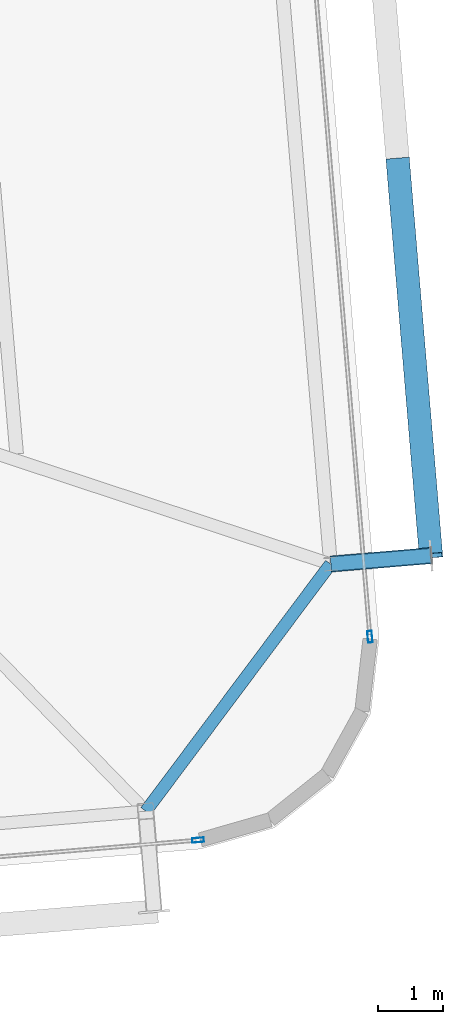
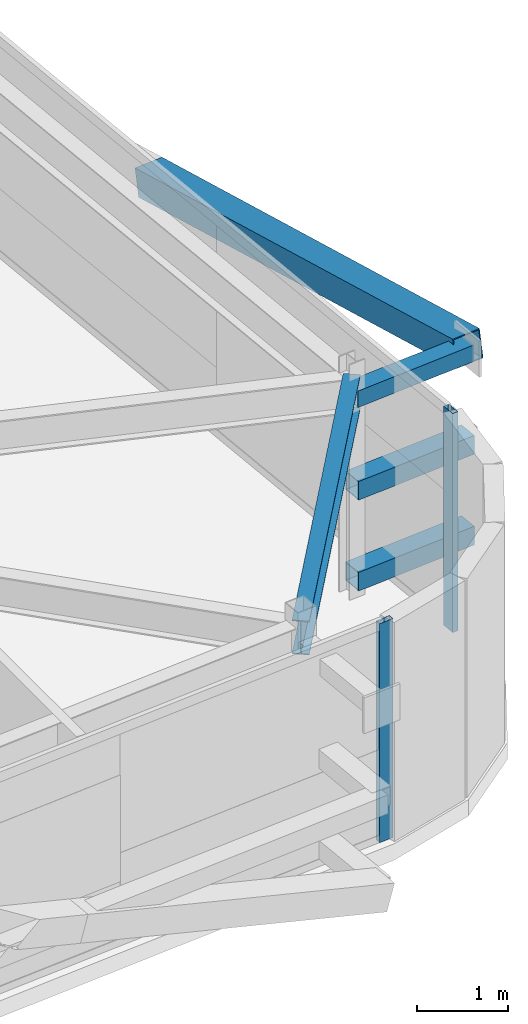
# One storey, part 18 of 37: 6 members, 1 beam, 2 elements without a shape of their own.
"""IFC4 building model written with IfcOpenShell, lengths in metres."""

from ifc_helpers import new_model, si_unit, direction, frame, origin, origin_2d, place, context, subcontext, project, spatial, hollow_rectangle, i_section, extrude, source, transform, mapped, material, layer, layer_set, material_profile, profile_set, type_object, element, aggregate, save


model = new_model("IFC4")

# Units and contexts
model_context = context("Model", 3, precision=1e-05, world=origin(), true_north=direction((0.0, 1.0)))
body_context = subcontext(model_context, "Body", "Model", "MODEL_VIEW")
ifc_project = project(units=[si_unit("LENGTHUNIT", "METRE"), si_unit("AREAUNIT", "SQUARE_METRE"), si_unit("VOLUMEUNIT", "CUBIC_METRE"), si_unit("PLANEANGLEUNIT", "RADIAN"), si_unit("MASSUNIT", "GRAM", prefix="KILO")], contexts=[model_context])

# Site, building, storey
site_placement = place(None, origin())
site = spatial("IfcSite", under=ifc_project, at=site_placement, CompositionType="ELEMENT")
building_placement = place(site_placement, origin())
building = spatial("IfcBuilding", under=site, at=building_placement, Name="Taldren Reach Tower", CompositionType="ELEMENT")
storey_placement = place(building_placement, frame((0.0, 0.0, 182.0)))
storey = spatial("IfcBuildingStorey", under=building, at=storey_placement, Name="L55", CompositionType="ELEMENT", Elevation=182.0)

# Beam
ifc_material_1 = material(Name="Steel Gr 350 (350PLUS)", Category="steel")
ifc_material_profile_1 = material_profile(ifc_material_1, i_section(OverallWidth=0.18994140625, OverallDepth=0.4541015625, WebThickness=0.008544921875, FlangeThickness=0.0126953125, at=origin_2d()), Name="460UB67.1")
ifc_profile_set_1 = profile_set([ifc_material_profile_1], Name="Steel Gr 350 (350PLUS)")
beam_type = type_object("IfcBeamType", Name="SP-UB460B", PredefinedType="SPANDREL", material=ifc_profile_set_1)
shared_shape_1 = source(origin(), body_context, "Body", "SweptSolid", [
    extrude(i_section(OverallWidth=0.18994140625, OverallDepth=0.4541015625, WebThickness=0.008544921875, FlangeThickness=0.0126953125, at=origin_2d()), origin(), (0.0, 0.0, 1.0), 4.746337890625),
])
beam_placement = place(storey_placement, frame((58.796142578125, 5.516357421875, 2.702880859375), z_axis=(0.598797715541, 0.800900303323, 0.0), x_axis=(-0.800900303323, 0.598797715541, 0.0)))
element("IfcBeam", 1, at=beam_placement, inside=storey, type_object=beam_type, Name="Perimeter spandrel B4 S6-E1 L55", PredefinedType="SPANDREL", context=body_context, shape_type="MappedRepresentation", body=[
    mapped(shared_shape_1, transform((0.0, 0.0, 0.0), scale=1.0)),
])

# Members
ifc_material_2 = material(Name="Steel Gr 450 (C450L0)", Category="steel")
ifc_material_profile_2 = material_profile(ifc_material_2, hollow_rectangle(XDim=0.219970703125, YDim=0.219970703125, WallThickness=0.00830078125, at=origin_2d()), Name="220x220x8.2SHS")
ifc_profile_set_2 = profile_set([ifc_material_profile_2], Name="Steel Gr 450 (C450L0)")
member_type_1 = type_object("IfcMemberType", Name="MB-TIE219", PredefinedType="STRUT", material=ifc_profile_set_2)
shared_shape_2 = source(origin(), body_context, "Body", "SweptSolid", [
    extrude(hollow_rectangle(XDim=0.219970703125, YDim=0.219970703125, WallThickness=0.00830078125, at=origin_2d()), origin(), (0.0, 0.0, 1.0), 1.545166015625),
])
member_1_placement = place(storey_placement, frame((61.642822265625, 9.31787109375, 2.64990234375), z_axis=(0.996487766615, 0.083738467783, 0.0), x_axis=(-0.083738467783, 0.996487766615, 0.0)))
element("IfcMember", 2, at=member_1_placement, inside=storey, type_object=member_type_1, Name="Exoskeleton diaphragm tie strut B4-E1 L55", PredefinedType="STRUT", context=body_context, shape_type="MappedRepresentation", body=[
    mapped(shared_shape_2, transform((0.0, 0.0, 0.0), scale=1.0)),
])
ifc_material_3 = material(Name="Steel Gr 350 (C350L0)", Category="steel")
ifc_material_profile_3 = material_profile(ifc_material_3, hollow_rectangle(XDim=0.25, YDim=0.25, WallThickness=0.010009765625, at=origin_2d()), Name="250x250x10.0SHS")
ifc_profile_set_3 = profile_set([ifc_material_profile_3], Name="Steel Gr 350 (C350L0)")
member_type_2 = type_object("IfcMemberType", Name="MB-POST250", PredefinedType="POST", material=ifc_profile_set_3)
shared_shape_3 = source(origin(), body_context, "Body", "SweptSolid", [
    extrude(hollow_rectangle(XDim=0.25, YDim=0.25, WallThickness=0.010009765625, at=origin_2d()), origin(), (0.0, 0.0, 1.0), 1.545166015625),
])
for number, where, z_axis, x_axis, name in (
    (3, (61.642822265625, 9.31787109375, 0.219970703125), (0.996487766615, 0.083738467783, 0.0), (-0.083738467783, 0.996487766615, 0.0), "Exoskeleton base diaphragm tie strut B4-E1 L55"),
    (4, (61.642822265625, 9.31787109375, 1.43505859375), (0.996487766615, 0.083738467783, 0.0), (-0.083738467783, 0.996487766615, 0.0), "Exoskeleton mid-tier diaphragm tie B4-E1 L55"),
):
    element("IfcMember", number, at=place(storey_placement, frame(where, z_axis=z_axis, x_axis=x_axis)), inside=storey, type_object=member_type_2, Name=name, PredefinedType="POST", context=body_context, shape_type="MappedRepresentation", body=[
        mapped(shared_shape_3, transform((0.0, 0.0, 0.0), scale=1.0)),
    ])
ifc_material_profile_4 = material_profile(ifc_material_2, hollow_rectangle(XDim=0.360107421875, YDim=0.360107421875, WallThickness=0.0126953125, at=origin_2d()), Name="360x360x12.7SHS")
ifc_profile_set_4 = profile_set([ifc_material_profile_4], Name="Steel Gr 450 (C450L0)")
member_type_3 = type_object("IfcMemberType", Name="MB-EXO356", PredefinedType="BRACE", material=ifc_profile_set_4)
shared_shape_4 = source(origin(), body_context, "Body", "SweptSolid", [
    extrude(hollow_rectangle(XDim=0.360107421875, YDim=0.360107421875, WallThickness=0.0126953125, at=origin_2d()), origin(), (0.0, 0.0, 1.0), 6.2197265625),
])
member_2_placement = place(storey_placement, frame((62.672119140625, 15.52587890625, 1.43505859375), z_axis=(0.082076194186, -0.977299417909, 0.19531857593), x_axis=(0.996492003099, 0.083688038336, 0.0)))
element("IfcMember", 5, at=member_2_placement, inside=storey, type_object=member_type_3, Name="Exoskeleton Diagrid Brace B4-E1 L55", PredefinedType="BRACE", context=body_context, shape_type="MappedRepresentation", body=[
    mapped(shared_shape_4, transform((0.0, 0.0, 0.0), scale=1.0)),
])

# Curtain wall, member
ifc_material_4 = material(Name="Aluminium and Low-E Glass Unitised System", Category="aluminium")
ifc_layer = layer(ifc_material_4, 0.159912109375)
ifc_layer_set = layer_set([ifc_layer], Name="Aluminium and Low-E Glass Unitised System")
curtain_wall_type = type_object("IfcCurtainWallType", Name="CW-SYS-5", PredefinedType="NOTDEFINED", material=ifc_layer_set)
curtain_wall_1_placement = place(storey_placement, origin())
curtain_wall_1 = element("IfcCurtainWall", 6, at=curtain_wall_1_placement, inside=storey, type_object=curtain_wall_type, Name="Unitised curtain wall CW-L55-S", PredefinedType="NOTDEFINED")
ifc_material_5 = material(Name="Anodised Aluminium 6063-T6", Category="aluminium")
ifc_material_profile_5 = material_profile(ifc_material_5, hollow_rectangle(XDim=0.070068359375, YDim=0.179931640625, WallThickness=0.00390625, at=origin_2d()), Name="ALU-180x70x4RHS")
ifc_profile_set_5 = profile_set([ifc_material_profile_5], Name="Anodised Aluminium 6063-T6")
member_type_4 = type_object("IfcMemberType", Name="CW-MUL-180", PredefinedType="MULLION", material=ifc_profile_set_5)
shared_shape_5 = source(origin(), body_context, "Body", "SweptSolid", [
    extrude(hollow_rectangle(XDim=0.070068359375, YDim=0.179931640625, WallThickness=0.00390625, at=origin_2d()), origin(), (0.0, 0.0, 1.0), 2.929931640625),
])
member_3_placement = place(storey_placement, frame((59.60107421875, 5.072265625, 0.0), z_axis=(0.0, 0.0, 1.0), x_axis=(-0.083677894865, 0.996492854922, 0.0)))
member_3 = element("IfcMember", 7, at=member_3_placement, type_object=member_type_4, Name="CW-5 mullion 5", PredefinedType="MULLION", context=body_context, shape_type="MappedRepresentation", body=[
    mapped(shared_shape_5, transform((0.0, 0.0, 0.0), scale=1.0)),
])
aggregate(curtain_wall_1, [member_3])

curtain_wall_2_placement = place(storey_placement, origin())
curtain_wall_2 = element("IfcCurtainWall", 8, at=curtain_wall_2_placement, inside=storey, type_object=curtain_wall_type, Name="Unitised curtain wall CW-L55-E", PredefinedType="NOTDEFINED")
member_4_placement = place(storey_placement, frame((62.243896484375, 8.199462890625, 0.0), z_axis=(0.0, 0.0, 1.0), x_axis=(-0.996492847789, -0.083677979808, 0.0)))
member_4 = element("IfcMember", 9, at=member_4_placement, type_object=member_type_4, Name="CW-5 mullion 1", PredefinedType="MULLION", context=body_context, shape_type="MappedRepresentation", body=[
    mapped(shared_shape_5, transform((0.0, 0.0, 0.0), scale=1.0)),
])
aggregate(curtain_wall_2, [member_4])

save(model, "model.ifc")
